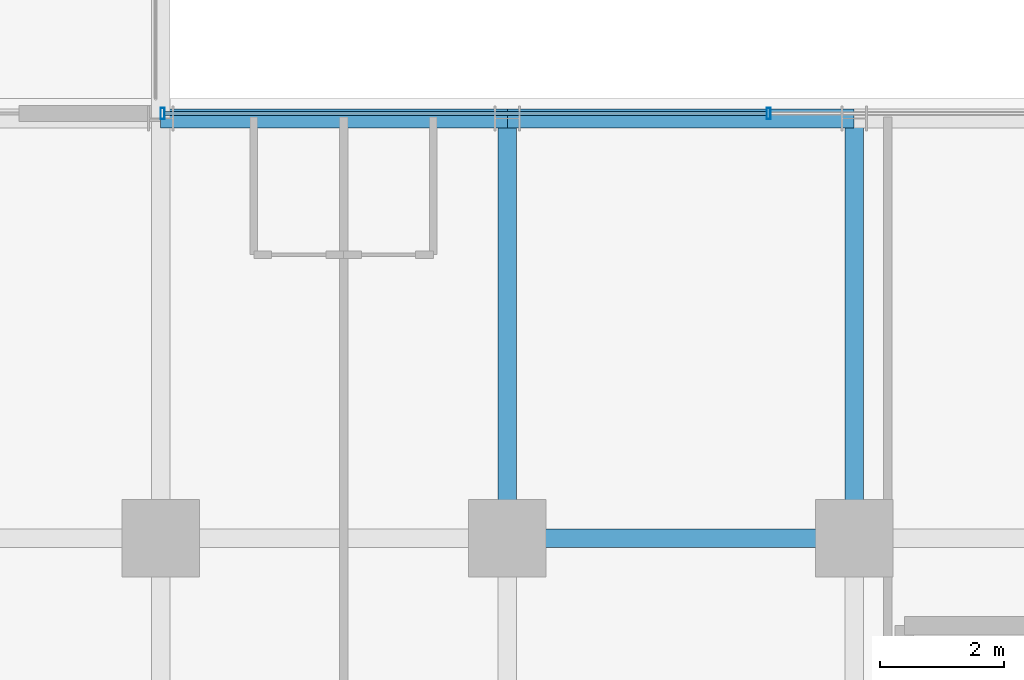
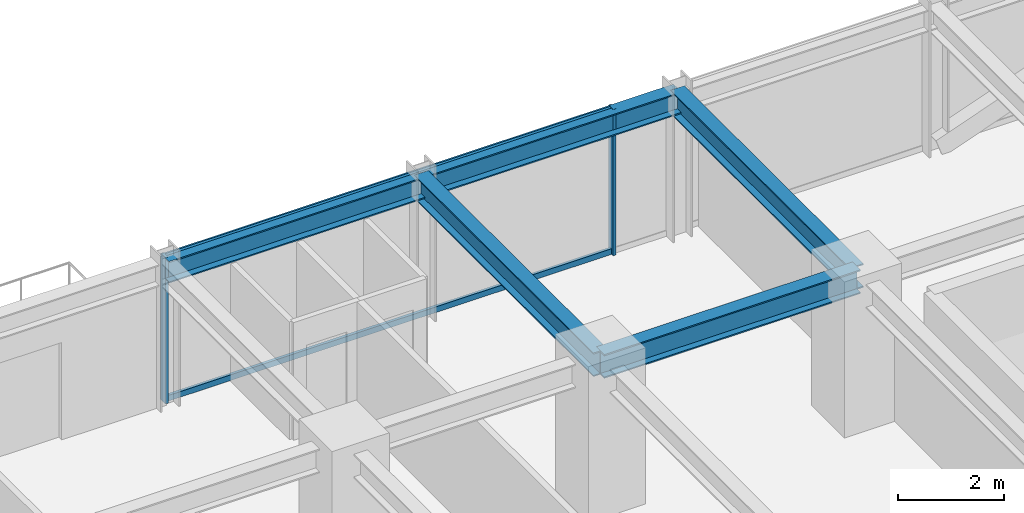
# One storey, part 21 of 35: 5 beams, 4 members, 1 element without a shape of its own.
"""IFC4 building model written with IfcOpenShell, lengths in metres."""

from ifc_helpers import new_model, si_unit, direction, frame, origin, origin_2d, place, context, subcontext, project, spatial, hollow_rectangle, i_section, extrude, source, transform, mapped, material, material_profile, profile_set, type_object, element, aggregate, save


model = new_model("IFC4")

# Units and contexts
model_context = context("Model", 3, precision=1e-05, world=origin(), true_north=direction((0.0, 1.0)))
body_context = subcontext(model_context, "Body", "Model", "MODEL_VIEW")
ifc_project = project(units=[si_unit("LENGTHUNIT", "METRE"), si_unit("AREAUNIT", "SQUARE_METRE"), si_unit("VOLUMEUNIT", "CUBIC_METRE"), si_unit("PLANEANGLEUNIT", "RADIAN"), si_unit("MASSUNIT", "GRAM", prefix="KILO")], contexts=[model_context])

# Site, building, storey
site_placement = place(None, origin())
site = spatial("IfcSite", under=ifc_project, at=site_placement, CompositionType="ELEMENT")
building_placement = place(site_placement, origin())
building = spatial("IfcBuilding", under=site, at=building_placement, Name="Nahalor Promenade Grand Hotel", CompositionType="ELEMENT")
storey_placement = place(building_placement, frame((0.0, 0.0, 106.550048828125)))
storey = spatial("IfcBuildingStorey", under=building, at=storey_placement, Name="L26", CompositionType="ELEMENT", Elevation=106.550048828125)

# Beams
ifc_material_1 = material(Name="Steel S355JR", Category="steel")
ifc_material_profile_1 = material_profile(ifc_material_1, i_section(OverallWidth=0.3, OverallDepth=0.5, WebThickness=0.0145, FlangeThickness=0.028, at=origin_2d()), Name="HEB 500")
ifc_profile_set_1 = profile_set([ifc_material_profile_1], Name="Steel S355JR")
beam_type_1 = type_object("IfcBeamType", Name="Beam-Spandrel-HEB500", PredefinedType="SPANDREL", material=ifc_profile_set_1)
shared_shape_1 = source(origin(), body_context, "Body", "SweptSolid", [
    extrude(i_section(OverallWidth=0.3, OverallDepth=0.5, WebThickness=0.0145, FlangeThickness=0.028, at=origin_2d()), origin(), (0.0, 0.0, 1.0), 5.599853515625),
])
beam_1_placement = place(storey_placement, frame((-8.39990234375, 23.780029296875, 3.1298828125), z_axis=(1.0, 0.0, 0.0), x_axis=(0.0, 1.0, 0.0)))
element("IfcBeam", 1, at=beam_1_placement, inside=storey, type_object=beam_type_1, Name="BM-L26-SP-N-1", PredefinedType="SPANDREL", context=body_context, shape_type="MappedRepresentation", body=[
    mapped(shared_shape_1, transform((0.0, 0.0, 0.0), scale=1.0)),
])
shared_shape_2 = source(origin(), body_context, "Body", "SweptSolid", [
    extrude(i_section(OverallWidth=0.3, OverallDepth=0.5, WebThickness=0.0145, FlangeThickness=0.028, at=origin_2d()), origin(), (0.0, 0.0, 1.0), 5.60009765625),
])
beam_2_placement = place(storey_placement, frame((-2.800048828125, 23.780029296875, 3.1298828125), z_axis=(1.0, 0.0, 0.0), x_axis=(0.0, 1.0, 0.0)))
element("IfcBeam", 2, at=beam_2_placement, inside=storey, type_object=beam_type_1, Name="BM-L26-SP-N-2", PredefinedType="SPANDREL", context=body_context, shape_type="MappedRepresentation", body=[
    mapped(shared_shape_2, transform((0.0, 0.0, 0.0), scale=1.0)),
])
ifc_material_profile_2 = material_profile(ifc_material_1, i_section(OverallWidth=0.3, OverallDepth=0.55, WebThickness=0.015, FlangeThickness=0.029, at=origin_2d()), Name="HEB 550")
ifc_profile_set_2 = profile_set([ifc_material_profile_2], Name="Steel S355JR")
beam_type_2 = type_object("IfcBeamType", Name="Beam-Girder-HEB550", PredefinedType="BEAM", material=ifc_profile_set_2)
shared_shape_3 = source(origin(), body_context, "Body", "SweptSolid", [
    extrude(i_section(OverallWidth=0.3, OverallDepth=0.55, WebThickness=0.015, FlangeThickness=0.029, at=origin_2d()), origin(), (0.0, 0.0, 1.0), 6.780029296875),
])
for number, where, z_axis, x_axis, name in (
    (3, (-2.800048828125, 17.0, 3.10498046875), (0.0, 1.0, 0.0), (-1.0, 0.0, 0.0), "BM-L26-GY-2-4"),
    (4, (2.800048828125, 17.0, 3.10498046875), (0.0, 1.0, 0.0), (-1.0, 0.0, 0.0), "BM-L26-GY-3-4"),
):
    element("IfcBeam", number, at=place(storey_placement, frame(where, z_axis=z_axis, x_axis=x_axis)), inside=storey, type_object=beam_type_2, Name=name, PredefinedType="BEAM", context=body_context, shape_type="MappedRepresentation", body=[
        mapped(shared_shape_3, transform((0.0, 0.0, 0.0), scale=1.0)),
    ])
shared_shape_4 = source(origin(), body_context, "Body", "SweptSolid", [
    extrude(i_section(OverallWidth=0.3, OverallDepth=0.55, WebThickness=0.015, FlangeThickness=0.029, at=origin_2d()), origin(), (0.0, 0.0, 1.0), 5.60009765625),
])
beam_3_placement = place(storey_placement, frame((-2.800048828125, 17.0, 3.10498046875), z_axis=(1.0, 0.0, 0.0), x_axis=(0.0, 1.0, 0.0)))
element("IfcBeam", 5, at=beam_3_placement, inside=storey, type_object=beam_type_2, Name="BM-L26-GX-3-3", PredefinedType="BEAM", context=body_context, shape_type="MappedRepresentation", body=[
    mapped(shared_shape_4, transform((0.0, 0.0, 0.0), scale=1.0)),
])

# Curtain wall, members
ifc_material_2 = material(Name="Anodised Bronze Aluminium EN AW-6063 T6", Category="aluminium")
curtain_wall_type = type_object("IfcCurtainWallType", Name="CW2 Typical Hotel Flush Bronze Unitised Curtain Wall", PredefinedType="USERDEFINED", material=ifc_material_2)
curtain_wall_placement = place(storey_placement, origin())
curtain_wall = element("IfcCurtainWall", 6, at=curtain_wall_placement, inside=storey, type_object=curtain_wall_type, Name="L26 Curtain Wall CW-L26-N-3", ObjectType="UNITISED_CURTAIN_WALL", PredefinedType="USERDEFINED")
ifc_material_profile_3 = material_profile(ifc_material_2, hollow_rectangle(XDim=0.065, YDim=0.18, WallThickness=0.004, at=origin_2d()), Name="CWM 65x180x4")
ifc_profile_set_3 = profile_set([ifc_material_profile_3], Name="Anodised Bronze Aluminium EN AW-6063 T6")
member_type_1 = type_object("IfcMemberType", Name="CWM2 Typical Bronze Mullion 65x180", PredefinedType="MULLION", material=ifc_profile_set_3)
shared_shape_5 = source(origin(), body_context, "Body", "SweptSolid", [
    extrude(hollow_rectangle(XDim=0.065, YDim=0.18, WallThickness=0.004, at=origin_2d()), origin(), (0.0, 0.0, 1.0), 3.3798828125),
])
member_1_placement = place(storey_placement, frame((-8.367431640625, 23.860107421875, 0.0), z_axis=(0.0, 0.0, 1.0), x_axis=(1.0, 0.0, 0.0)))
member_1 = element("IfcMember", 7, at=member_1_placement, type_object=member_type_1, Name="CW-L26-N-3 Mullion 0", PredefinedType="MULLION", context=body_context, shape_type="MappedRepresentation", body=[
    mapped(shared_shape_5, transform((0.0, 0.0, 0.0), scale=1.0)),
])
member_2_placement = place(storey_placement, frame((1.419921875, 23.860107421875, 0.0), z_axis=(0.0, 0.0, 1.0), x_axis=(1.0, 0.0, 0.0)))
member_2 = element("IfcMember", 8, at=member_2_placement, type_object=member_type_1, Name="CW-L26-N-3 Mullion 1", PredefinedType="MULLION", context=body_context, shape_type="MappedRepresentation", body=[
    mapped(shared_shape_5, transform((0.0, 0.0, 0.0), scale=1.0)),
])
ifc_material_profile_4 = material_profile(ifc_material_2, hollow_rectangle(XDim=0.065, YDim=0.13, WallThickness=0.004, at=origin_2d()), Name="CWT 65x130x4")
ifc_profile_set_4 = profile_set([ifc_material_profile_4], Name="Anodised Bronze Aluminium EN AW-6063 T6")
member_type_2 = type_object("IfcMemberType", Name="CWT2 Typical Bronze Transom 65x130", PredefinedType="USERDEFINED", material=ifc_profile_set_4)
shared_shape_6 = source(origin(), body_context, "Body", "SweptSolid", [
    extrude(hollow_rectangle(XDim=0.065, YDim=0.13, WallThickness=0.004, at=origin_2d()), origin(), (0.0, 0.0, 1.0), 9.722412109375),
])
member_3_placement = place(storey_placement, frame((-8.3349609375, 23.860107421875, 0.06494140625), z_axis=(1.0, 0.0, 0.0), x_axis=(0.0, 1.0, 0.0)))
member_3 = element("IfcMember", 9, at=member_3_placement, type_object=member_type_2, Name="CW-L26-N-3 Transom 0-0", ObjectType="TRANSOM", PredefinedType="USERDEFINED", context=body_context, shape_type="MappedRepresentation", body=[
    mapped(shared_shape_6, transform((0.0, 0.0, 0.0), scale=1.0)),
])
member_4_placement = place(storey_placement, frame((-8.3349609375, 23.860107421875, 3.31494140625), z_axis=(1.0, 0.0, 0.0), x_axis=(0.0, 1.0, 0.0)))
member_4 = element("IfcMember", 10, at=member_4_placement, type_object=member_type_2, Name="CW-L26-N-3 Transom 0-1", ObjectType="TRANSOM", PredefinedType="USERDEFINED", context=body_context, shape_type="MappedRepresentation", body=[
    mapped(shared_shape_6, transform((0.0, 0.0, 0.0), scale=1.0)),
])
aggregate(curtain_wall, [member_1, member_2, member_3, member_4])

save(model, "model.ifc")
